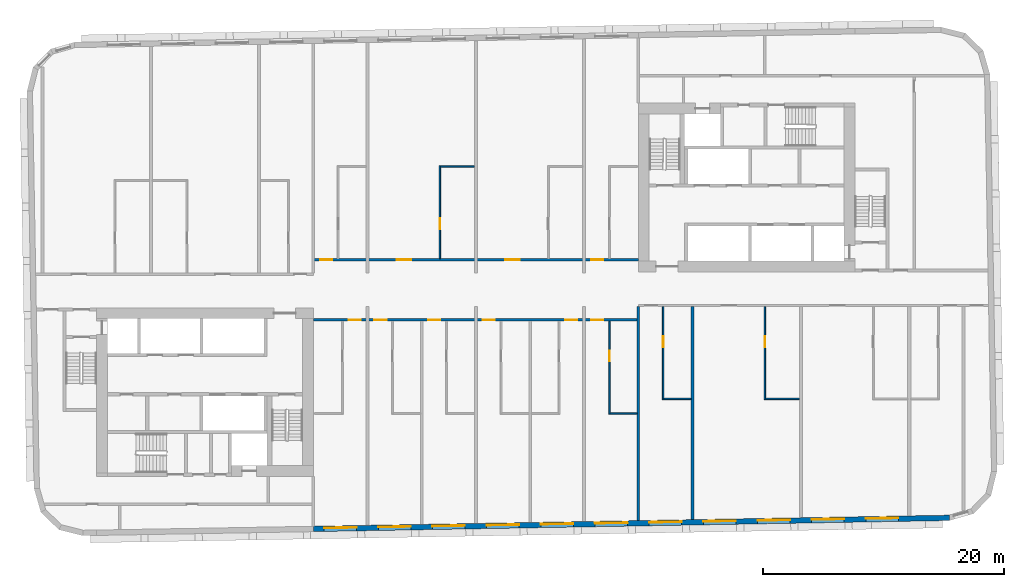
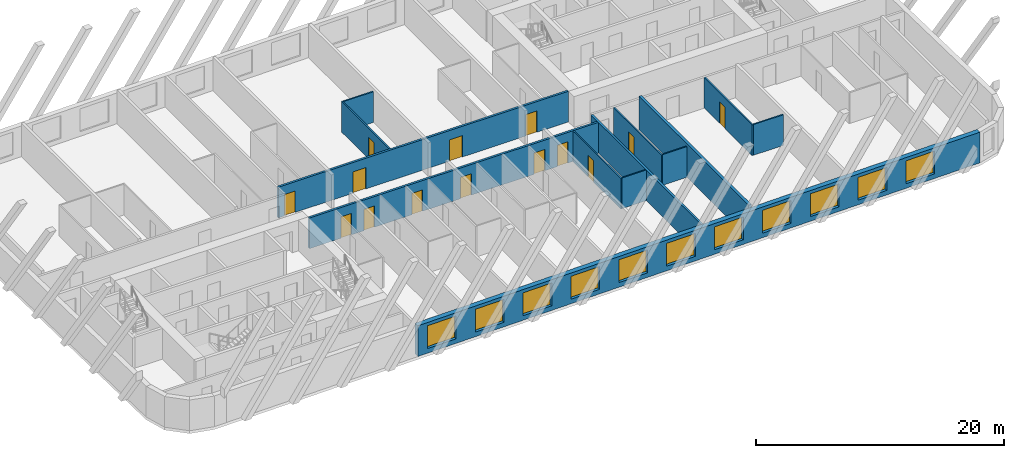
# One storey, part 4 of 12: 14 doors, 13 walls, 11 windows, 25 openings.
"""IFC4 building model written with IfcOpenShell, lengths in metres."""

from ifc_helpers import new_model, si_unit, direction, frame, frame_2d, origin, place, context, subcontext, project, spatial, rectangle, extrude, material, layer, layer_set, type_object, element, fill, save


model = new_model("IFC4")

# Units and contexts
model_context = context("Model", 3, precision=1e-05, world=origin(), true_north=direction((0.0, 1.0)))
body_context = subcontext(model_context, "Body", "Model", "MODEL_VIEW")
ifc_project = project(units=[si_unit("LENGTHUNIT", "METRE"), si_unit("AREAUNIT", "SQUARE_METRE"), si_unit("VOLUMEUNIT", "CUBIC_METRE"), si_unit("PLANEANGLEUNIT", "RADIAN"), si_unit("MASSUNIT", "GRAM", prefix="KILO")], contexts=[model_context])

# Site, building, storey
site_placement = place(None, origin())
site = spatial("IfcSite", under=ifc_project, at=site_placement, CompositionType="ELEMENT")
building_placement = place(site_placement, origin())
building = spatial("IfcBuilding", under=site, at=building_placement, Name="Kajstack Hotel Tower", CompositionType="ELEMENT")
storey_placement = place(building_placement, frame((0.0, 0.0, 247.39990234375)))
storey = spatial("IfcBuildingStorey", under=building, at=storey_placement, Name="L61", CompositionType="ELEMENT", Elevation=247.39990234375)

# Wall, openings, doors
ifc_material_1 = material(Name="Gypsum board on steel studs, mineral wool", Category="steel")
ifc_layer_1 = layer(ifc_material_1, 0.199951171875)
ifc_layer_set_1 = layer_set([ifc_layer_1], Name="Corridor wall 200")
wall_type_1 = type_object("IfcWallType", Name="Corridor wall 200", PredefinedType="PARTITIONING", material=ifc_layer_set_1)
wall_1_placement = place(storey_placement, frame((-13.5, 2.5, 0.0), z_axis=(0.0, 0.0, 1.0), x_axis=(1.0, 0.0, 0.0)))
wall_1 = element("IfcWall", 1, at=wall_1_placement, inside=storey, type_object=wall_type_1, Name="G-wall-L61-004", PredefinedType="PARTITIONING", context=body_context, shape_type="SweptSolid", body=[
    extrude(rectangle(XDim=27.0, YDim=0.199951171875, at=frame_2d((13.5, 0.0))), origin(), (0.0, 0.0, 1.0), 3.02001953125),
])
opening_1_placement = place(wall_1_placement, frame((0.574951171875, 0.0, 0.0)))
opening_1 = element("IfcOpeningElement", 2, at=opening_1_placement, cuts=wall_1, Name="Opening 61007", PredefinedType="OPENING", context=body_context, shape_type="SweptSolid", body=[
    extrude(rectangle(XDim=1.0, YDim=2.10009765625, at=frame_2d((0.5, 1.050048828125))), frame((0.0, 0.10986328125, 0.0), z_axis=(0.0, -1.0, 0.0), x_axis=(1.0, 0.0, 0.0)), (0.0, 0.0, 1.0), 0.219970703125),
])
opening_2_placement = place(wall_1_placement, frame((6.93798828125, 0.0, 0.0)))
opening_2 = element("IfcOpeningElement", 3, at=opening_2_placement, cuts=wall_1, Name="Opening 61009", PredefinedType="OPENING", context=body_context, shape_type="SweptSolid", body=[
    extrude(rectangle(XDim=1.199951171875, YDim=2.10009765625, at=frame_2d((0.60009765625, 1.050048828125))), frame((0.0, 0.10986328125, 0.0), z_axis=(0.0, -1.0, 0.0), x_axis=(1.0, 0.0, 0.0)), (0.0, 0.0, 1.0), 0.219970703125),
])
opening_3_placement = place(wall_1_placement, frame((15.93798828125, 0.0, 0.0)))
opening_3 = element("IfcOpeningElement", 4, at=opening_3_placement, cuts=wall_1, Name="Opening 61011", PredefinedType="OPENING", context=body_context, shape_type="SweptSolid", body=[
    extrude(rectangle(XDim=1.199951171875, YDim=2.10009765625, at=frame_2d((0.60009765625, 1.050048828125))), frame((0.0, 0.10986328125, 0.0), z_axis=(0.0, -1.0, 0.0), x_axis=(1.0, 0.0, 0.0)), (0.0, 0.0, 1.0), 0.219970703125),
])
opening_4_placement = place(wall_1_placement, frame((23.074951171875, 0.0, 0.0)))
opening_4 = element("IfcOpeningElement", 5, at=opening_4_placement, cuts=wall_1, Name="Opening 61013", PredefinedType="OPENING", context=body_context, shape_type="SweptSolid", body=[
    extrude(rectangle(XDim=1.0, YDim=2.10009765625, at=frame_2d((0.5, 1.050048828125))), frame((0.0, 0.10986328125, 0.0), z_axis=(0.0, -1.0, 0.0), x_axis=(1.0, 0.0, 0.0)), (0.0, 0.0, 1.0), 0.219970703125),
])
ifc_material_2 = material(Name="Oak veneer on timber core, fire-rated leaf", Category="wood")
door_type_1 = type_object("IfcDoorType", Name="Flat entrance door 1000", OperationType="SINGLE_SWING_LEFT", PredefinedType="DOOR", material=ifc_material_2)
door_1_placement = place(opening_1_placement, origin())
door_1 = element("IfcDoor", 6, at=door_1_placement, inside=storey, type_object=door_type_1, Name="G-door-L61-07", OperationType="SINGLE_SWING_LEFT", OverallHeight=2.10009765625, OverallWidth=1.0, PredefinedType="DOOR", context=body_context, shape_type="SweptSolid", body=[
    extrude(rectangle(XDim=1.0, YDim=2.10009765625, at=frame_2d((0.5, 1.050048828125))), frame((0.0, 0.02490234375, 0.0), z_axis=(0.0, -1.0, 0.0), x_axis=(1.0, 0.0, 0.0)), (0.0, 0.0, 1.0), 0.050048828125),
])
fill(opening_1, door_1)
door_2_placement = place(opening_4_placement, origin())
door_2 = element("IfcDoor", 7, at=door_2_placement, inside=storey, type_object=door_type_1, Name="G-door-L61-13", OperationType="SINGLE_SWING_RIGHT", OverallHeight=2.10009765625, OverallWidth=1.0, PredefinedType="DOOR", context=body_context, shape_type="SweptSolid", body=[
    extrude(rectangle(XDim=1.0, YDim=2.10009765625, at=frame_2d((0.5, 1.050048828125))), frame((0.0, 0.02490234375, 0.0), z_axis=(0.0, -1.0, 0.0), x_axis=(1.0, 0.0, 0.0)), (0.0, 0.0, 1.0), 0.050048828125),
])
fill(opening_4, door_2)
door_type_2 = type_object("IfcDoorType", Name="Flat entrance door 1200", OperationType="SINGLE_SWING_LEFT", PredefinedType="DOOR", material=ifc_material_2)
door_3_placement = place(opening_2_placement, origin())
door_3 = element("IfcDoor", 8, at=door_3_placement, inside=storey, type_object=door_type_2, Name="G-door-L61-09", OperationType="SINGLE_SWING_RIGHT", OverallHeight=2.10009765625, OverallWidth=1.199951171875, PredefinedType="DOOR", context=body_context, shape_type="SweptSolid", body=[
    extrude(rectangle(XDim=1.199951171875, YDim=2.10009765625, at=frame_2d((0.60009765625, 1.050048828125))), frame((0.0, 0.02490234375, 0.0), z_axis=(0.0, -1.0, 0.0), x_axis=(1.0, 0.0, 0.0)), (0.0, 0.0, 1.0), 0.050048828125),
])
fill(opening_2, door_3)
door_4_placement = place(opening_3_placement, origin())
door_4 = element("IfcDoor", 9, at=door_4_placement, inside=storey, type_object=door_type_2, Name="G-door-L61-11", OperationType="SINGLE_SWING_RIGHT", OverallHeight=2.10009765625, OverallWidth=1.199951171875, PredefinedType="DOOR", context=body_context, shape_type="SweptSolid", body=[
    extrude(rectangle(XDim=1.199951171875, YDim=2.10009765625, at=frame_2d((0.60009765625, 1.050048828125))), frame((0.0, 0.02490234375, 0.0), z_axis=(0.0, -1.0, 0.0), x_axis=(1.0, 0.0, 0.0)), (0.0, 0.0, 1.0), 0.050048828125),
])
fill(opening_3, door_4)

wall_2_placement = place(storey_placement, frame((-13.5, -2.5, 0.0), z_axis=(0.0, 0.0, 1.0), x_axis=(1.0, 0.0, 0.0)))
wall_2 = element("IfcWall", 10, at=wall_2_placement, inside=storey, type_object=wall_type_1, Name="G-wall-L61-020", PredefinedType="PARTITIONING", context=body_context, shape_type="SweptSolid", body=[
    extrude(rectangle(XDim=27.0, YDim=0.199951171875, at=frame_2d((13.5, 0.0))), origin(), (0.0, 0.0, 1.0), 3.02001953125),
])
opening_5_placement = place(wall_2_placement, frame((2.925048828125, 0.0, 0.0)))
opening_5 = element("IfcOpeningElement", 11, at=opening_5_placement, cuts=wall_2, Name="Opening 61015", PredefinedType="OPENING", context=body_context, shape_type="SweptSolid", body=[
    extrude(rectangle(XDim=1.0, YDim=2.10009765625, at=frame_2d((0.5, 1.050048828125))), frame((0.0, 0.10986328125, 0.0), z_axis=(0.0, -1.0, 0.0), x_axis=(1.0, 0.0, 0.0)), (0.0, 0.0, 1.0), 0.219970703125),
])
opening_6_placement = place(wall_2_placement, frame((5.074951171875, 0.0, 0.0)))
opening_6 = element("IfcOpeningElement", 12, at=opening_6_placement, cuts=wall_2, Name="Opening 61017", PredefinedType="OPENING", context=body_context, shape_type="SweptSolid", body=[
    extrude(rectangle(XDim=1.0, YDim=2.10009765625, at=frame_2d((0.5, 1.050048828125))), frame((0.0, 0.10986328125, 0.0), z_axis=(0.0, -1.0, 0.0), x_axis=(1.0, 0.0, 0.0)), (0.0, 0.0, 1.0), 0.219970703125),
])
opening_7_placement = place(wall_2_placement, frame((9.550048828125, 0.0, 0.0)))
opening_7 = element("IfcOpeningElement", 13, at=opening_7_placement, cuts=wall_2, Name="Opening 61019", PredefinedType="OPENING", context=body_context, shape_type="SweptSolid", body=[
    extrude(rectangle(XDim=1.0, YDim=2.10009765625, at=frame_2d((0.5, 1.050048828125))), frame((0.0, 0.10986328125, 0.0), z_axis=(0.0, -1.0, 0.0), x_axis=(1.0, 0.0, 0.0)), (0.0, 0.0, 1.0), 0.219970703125),
])
opening_8_placement = place(wall_2_placement, frame((14.074951171875, 0.0, 0.0)))
opening_8 = element("IfcOpeningElement", 14, at=opening_8_placement, cuts=wall_2, Name="Opening 61021", PredefinedType="OPENING", context=body_context, shape_type="SweptSolid", body=[
    extrude(rectangle(XDim=1.0, YDim=2.10009765625, at=frame_2d((0.5, 1.050048828125))), frame((0.0, 0.10986328125, 0.0), z_axis=(0.0, -1.0, 0.0), x_axis=(1.0, 0.0, 0.0)), (0.0, 0.0, 1.0), 0.219970703125),
])
opening_9_placement = place(wall_2_placement, frame((20.925048828125, 0.0, 0.0)))
opening_9 = element("IfcOpeningElement", 15, at=opening_9_placement, cuts=wall_2, Name="Opening 61023", PredefinedType="OPENING", context=body_context, shape_type="SweptSolid", body=[
    extrude(rectangle(XDim=1.0, YDim=2.10009765625, at=frame_2d((0.5, 1.050048828125))), frame((0.0, 0.10986328125, 0.0), z_axis=(0.0, -1.0, 0.0), x_axis=(1.0, 0.0, 0.0)), (0.0, 0.0, 1.0), 0.219970703125),
])
opening_10_placement = place(wall_2_placement, frame((23.074951171875, 0.0, 0.0)))
opening_10 = element("IfcOpeningElement", 16, at=opening_10_placement, cuts=wall_2, Name="Opening 61025", PredefinedType="OPENING", context=body_context, shape_type="SweptSolid", body=[
    extrude(rectangle(XDim=1.0, YDim=2.10009765625, at=frame_2d((0.5, 1.050048828125))), frame((0.0, 0.10986328125, 0.0), z_axis=(0.0, -1.0, 0.0), x_axis=(1.0, 0.0, 0.0)), (0.0, 0.0, 1.0), 0.219970703125),
])
door_5_placement = place(opening_5_placement, origin())
door_5 = element("IfcDoor", 17, at=door_5_placement, inside=storey, type_object=door_type_1, Name="G-door-L61-15", OperationType="SINGLE_SWING_RIGHT", OverallHeight=2.10009765625, OverallWidth=1.0, PredefinedType="DOOR", context=body_context, shape_type="SweptSolid", body=[
    extrude(rectangle(XDim=1.0, YDim=2.10009765625, at=frame_2d((0.5, 1.050048828125))), frame((0.0, 0.02490234375, 0.0), z_axis=(0.0, -1.0, 0.0), x_axis=(1.0, 0.0, 0.0)), (0.0, 0.0, 1.0), 0.050048828125),
])
fill(opening_5, door_5)
door_6_placement = place(opening_6_placement, origin())
door_6 = element("IfcDoor", 18, at=door_6_placement, inside=storey, type_object=door_type_1, Name="G-door-L61-17", OperationType="SINGLE_SWING_RIGHT", OverallHeight=2.10009765625, OverallWidth=1.0, PredefinedType="DOOR", context=body_context, shape_type="SweptSolid", body=[
    extrude(rectangle(XDim=1.0, YDim=2.10009765625, at=frame_2d((0.5, 1.050048828125))), frame((0.0, 0.02490234375, 0.0), z_axis=(0.0, -1.0, 0.0), x_axis=(1.0, 0.0, 0.0)), (0.0, 0.0, 1.0), 0.050048828125),
])
fill(opening_6, door_6)
door_7_placement = place(opening_7_placement, origin())
door_7 = element("IfcDoor", 19, at=door_7_placement, inside=storey, type_object=door_type_1, Name="G-door-L61-19", OperationType="SINGLE_SWING_RIGHT", OverallHeight=2.10009765625, OverallWidth=1.0, PredefinedType="DOOR", context=body_context, shape_type="SweptSolid", body=[
    extrude(rectangle(XDim=1.0, YDim=2.10009765625, at=frame_2d((0.5, 1.050048828125))), frame((0.0, 0.02490234375, 0.0), z_axis=(0.0, -1.0, 0.0), x_axis=(1.0, 0.0, 0.0)), (0.0, 0.0, 1.0), 0.050048828125),
])
fill(opening_7, door_7)
door_8_placement = place(opening_8_placement, origin())
door_8 = element("IfcDoor", 20, at=door_8_placement, inside=storey, type_object=door_type_1, Name="G-door-L61-21", OperationType="SINGLE_SWING_LEFT", OverallHeight=2.10009765625, OverallWidth=1.0, PredefinedType="DOOR", context=body_context, shape_type="SweptSolid", body=[
    extrude(rectangle(XDim=1.0, YDim=2.10009765625, at=frame_2d((0.5, 1.050048828125))), frame((0.0, 0.02490234375, 0.0), z_axis=(0.0, -1.0, 0.0), x_axis=(1.0, 0.0, 0.0)), (0.0, 0.0, 1.0), 0.050048828125),
])
fill(opening_8, door_8)
door_9_placement = place(opening_9_placement, origin())
door_9 = element("IfcDoor", 21, at=door_9_placement, inside=storey, type_object=door_type_1, Name="G-door-L61-23", OperationType="SINGLE_SWING_RIGHT", OverallHeight=2.10009765625, OverallWidth=1.0, PredefinedType="DOOR", context=body_context, shape_type="SweptSolid", body=[
    extrude(rectangle(XDim=1.0, YDim=2.10009765625, at=frame_2d((0.5, 1.050048828125))), frame((0.0, 0.02490234375, 0.0), z_axis=(0.0, -1.0, 0.0), x_axis=(1.0, 0.0, 0.0)), (0.0, 0.0, 1.0), 0.050048828125),
])
fill(opening_9, door_9)
door_10_placement = place(opening_10_placement, origin())
door_10 = element("IfcDoor", 22, at=door_10_placement, inside=storey, type_object=door_type_1, Name="G-door-L61-25", OperationType="SINGLE_SWING_RIGHT", OverallHeight=2.10009765625, OverallWidth=1.0, PredefinedType="DOOR", context=body_context, shape_type="SweptSolid", body=[
    extrude(rectangle(XDim=1.0, YDim=2.10009765625, at=frame_2d((0.5, 1.050048828125))), frame((0.0, 0.02490234375, 0.0), z_axis=(0.0, -1.0, 0.0), x_axis=(1.0, 0.0, 0.0)), (0.0, 0.0, 1.0), 0.050048828125),
])
fill(opening_10, door_10)

# Wall
ifc_material_3 = material(Name="Twin-frame gypsum board on steel studs, mineral wool", Category="steel")
ifc_layer_2 = layer(ifc_material_3, 0.199951171875)
ifc_layer_set_2 = layer_set([ifc_layer_2], Name="Demising wall 200")
wall_type_2 = type_object("IfcWallType", Name="Demising wall 200", PredefinedType="PARTITIONING", material=ifc_layer_set_2)
wall_3_placement = place(storey_placement, frame((13.5, -19.169921875, 0.0), z_axis=(0.0, 0.0, 1.0), x_axis=(0.0, 1.0, 0.0)))
element("IfcWall", 23, at=wall_3_placement, inside=storey, type_object=wall_type_2, Name="G-wall-L61-034", PredefinedType="PARTITIONING", context=body_context, shape_type="SweptSolid", body=[
    extrude(rectangle(XDim=17.77001953125, YDim=0.199951171875, at=frame_2d((8.885009765625, 0.0))), origin(), (0.0, 0.0, 1.0), 3.02001953125),
])

# Wall, openings, windows
ifc_material_4 = material(Name="Terracotta-faced brick masonry", Category="masonry")
ifc_layer_3 = layer(ifc_material_4, 0.449951171875)
ifc_layer_set_3 = layer_set([ifc_layer_3], Name="EW-TERRA")
wall_type_3 = type_object("IfcWallType", Name="EW-TERRA", PredefinedType="SOLIDWALL", material=ifc_layer_set_3)
wall_4_placement = place(storey_placement, frame((-13.50390625, -19.8662109375, 0.0), z_axis=(0.0, 0.0, 1.0), x_axis=(0.999847672978, 0.017453676992, 0.0)))
wall_4 = element("IfcWall", 24, at=wall_4_placement, inside=storey, type_object=wall_type_3, Name="E-wall-L61-04-02", PredefinedType="SOLIDWALL", context=body_context, shape_type="SweptSolid", body=[
    extrude(rectangle(XDim=52.8603515625, YDim=0.449951171875, at=frame_2d((26.43017578125, 0.0))), origin(), (0.0, 0.0, 1.0), 3.02001953125),
])
opening_11_placement = place(wall_4_placement, frame((0.900390625, 0.0, 0.449951171875)))
opening_11 = element("IfcOpeningElement", 25, at=opening_11_placement, cuts=wall_4, Name="Opening W1", PredefinedType="OPENING", context=body_context, shape_type="SweptSolid", body=[
    extrude(rectangle(XDim=2.699951171875, YDim=2.25, at=frame_2d((1.35009765625, 1.125))), frame((0.0, 0.23486328125, 0.0), z_axis=(0.0, -1.0, 0.0), x_axis=(1.0, 0.0, 0.0)), (0.0, 0.0, 1.0), 0.469970703125),
])
opening_12_placement = place(wall_4_placement, frame((5.40087890625, 0.0, 0.449951171875)))
opening_12 = element("IfcOpeningElement", 26, at=opening_12_placement, cuts=wall_4, Name="Opening W1", PredefinedType="OPENING", context=body_context, shape_type="SweptSolid", body=[
    extrude(rectangle(XDim=2.699951171875, YDim=2.25, at=frame_2d((1.35009765625, 1.125))), frame((0.0, 0.23486328125, 0.0), z_axis=(0.0, -1.0, 0.0), x_axis=(1.0, 0.0, 0.0)), (0.0, 0.0, 1.0), 0.469970703125),
])
opening_13_placement = place(wall_4_placement, frame((9.901611328125, 0.0, 0.449951171875)))
opening_13 = element("IfcOpeningElement", 27, at=opening_13_placement, cuts=wall_4, Name="Opening W1", PredefinedType="OPENING", context=body_context, shape_type="SweptSolid", body=[
    extrude(rectangle(XDim=2.699951171875, YDim=2.25, at=frame_2d((1.35009765625, 1.125))), frame((0.0, 0.23486328125, 0.0), z_axis=(0.0, -1.0, 0.0), x_axis=(1.0, 0.0, 0.0)), (0.0, 0.0, 1.0), 0.469970703125),
])
opening_14_placement = place(wall_4_placement, frame((14.40234375, 0.0, 0.449951171875)))
opening_14 = element("IfcOpeningElement", 28, at=opening_14_placement, cuts=wall_4, Name="Opening W1", PredefinedType="OPENING", context=body_context, shape_type="SweptSolid", body=[
    extrude(rectangle(XDim=2.699951171875, YDim=2.25, at=frame_2d((1.35009765625, 1.125))), frame((0.0, 0.23486328125, 0.0), z_axis=(0.0, -1.0, 0.0), x_axis=(1.0, 0.0, 0.0)), (0.0, 0.0, 1.0), 0.469970703125),
])
opening_15_placement = place(wall_4_placement, frame((18.903076171875, 0.0, 0.449951171875)))
opening_15 = element("IfcOpeningElement", 29, at=opening_15_placement, cuts=wall_4, Name="Opening W1", PredefinedType="OPENING", context=body_context, shape_type="SweptSolid", body=[
    extrude(rectangle(XDim=2.699951171875, YDim=2.25, at=frame_2d((1.35009765625, 1.125))), frame((0.0, 0.23486328125, 0.0), z_axis=(0.0, -1.0, 0.0), x_axis=(1.0, 0.0, 0.0)), (0.0, 0.0, 1.0), 0.469970703125),
])
opening_16_placement = place(wall_4_placement, frame((23.40380859375, 0.0, 0.449951171875)))
opening_16 = element("IfcOpeningElement", 30, at=opening_16_placement, cuts=wall_4, Name="Opening W1", PredefinedType="OPENING", context=body_context, shape_type="SweptSolid", body=[
    extrude(rectangle(XDim=2.699951171875, YDim=2.25, at=frame_2d((1.35009765625, 1.125))), frame((0.0, 0.23486328125, 0.0), z_axis=(0.0, -1.0, 0.0), x_axis=(1.0, 0.0, 0.0)), (0.0, 0.0, 1.0), 0.469970703125),
])
opening_17_placement = place(wall_4_placement, frame((27.904296875, 0.0, 0.449951171875)))
opening_17 = element("IfcOpeningElement", 31, at=opening_17_placement, cuts=wall_4, Name="Opening W1", PredefinedType="OPENING", context=body_context, shape_type="SweptSolid", body=[
    extrude(rectangle(XDim=2.699951171875, YDim=2.25, at=frame_2d((1.35009765625, 1.125))), frame((0.0, 0.23486328125, 0.0), z_axis=(0.0, -1.0, 0.0), x_axis=(1.0, 0.0, 0.0)), (0.0, 0.0, 1.0), 0.469970703125),
])
opening_18_placement = place(wall_4_placement, frame((32.405029296875, 0.0, 0.449951171875)))
opening_18 = element("IfcOpeningElement", 32, at=opening_18_placement, cuts=wall_4, Name="Opening W1", PredefinedType="OPENING", context=body_context, shape_type="SweptSolid", body=[
    extrude(rectangle(XDim=2.699951171875, YDim=2.25, at=frame_2d((1.35009765625, 1.125))), frame((0.0, 0.23486328125, 0.0), z_axis=(0.0, -1.0, 0.0), x_axis=(1.0, 0.0, 0.0)), (0.0, 0.0, 1.0), 0.469970703125),
])
opening_19_placement = place(wall_4_placement, frame((36.90576171875, 0.0, 0.449951171875)))
opening_19 = element("IfcOpeningElement", 33, at=opening_19_placement, cuts=wall_4, Name="Opening W1", PredefinedType="OPENING", context=body_context, shape_type="SweptSolid", body=[
    extrude(rectangle(XDim=2.699951171875, YDim=2.25, at=frame_2d((1.35009765625, 1.125))), frame((0.0, 0.23486328125, 0.0), z_axis=(0.0, -1.0, 0.0), x_axis=(1.0, 0.0, 0.0)), (0.0, 0.0, 1.0), 0.469970703125),
])
opening_20_placement = place(wall_4_placement, frame((41.406494140625, 0.0, 0.449951171875)))
opening_20 = element("IfcOpeningElement", 34, at=opening_20_placement, cuts=wall_4, Name="Opening W1", PredefinedType="OPENING", context=body_context, shape_type="SweptSolid", body=[
    extrude(rectangle(XDim=2.699951171875, YDim=2.25, at=frame_2d((1.35009765625, 1.125))), frame((0.0, 0.23486328125, 0.0), z_axis=(0.0, -1.0, 0.0), x_axis=(1.0, 0.0, 0.0)), (0.0, 0.0, 1.0), 0.469970703125),
])
opening_21_placement = place(wall_4_placement, frame((45.9072265625, 0.0, 0.449951171875)))
opening_21 = element("IfcOpeningElement", 35, at=opening_21_placement, cuts=wall_4, Name="Opening W1", PredefinedType="OPENING", context=body_context, shape_type="SweptSolid", body=[
    extrude(rectangle(XDim=2.699951171875, YDim=2.25, at=frame_2d((1.35009765625, 1.125))), frame((0.0, 0.23486328125, 0.0), z_axis=(0.0, -1.0, 0.0), x_axis=(1.0, 0.0, 0.0)), (0.0, 0.0, 1.0), 0.469970703125),
])
ifc_material_5 = material(Name="Timber-aluminium window, triple glazed", Category="wood")
window_type = type_object("IfcWindowType", Name="WG1", PartitioningType="SINGLE_PANEL", PredefinedType="WINDOW", material=ifc_material_5)
window_1_placement = place(opening_11_placement, origin())
window_1 = element("IfcWindow", 36, at=window_1_placement, inside=storey, type_object=window_type, Name="Window W1 L61-04", OverallHeight=2.25, OverallWidth=2.699951171875, PartitioningType="SINGLE_PANEL", PredefinedType="WINDOW", context=body_context, shape_type="SweptSolid", body=[
    extrude(rectangle(XDim=2.699951171875, YDim=2.25, at=frame_2d((1.35009765625, 1.125))), frame((0.0, 0.090087890625, 0.0), z_axis=(0.0, -1.0, 0.0), x_axis=(1.0, 0.0, 0.0)), (0.0, 0.0, 1.0), 0.06005859375),
])
fill(opening_11, window_1)
window_2_placement = place(opening_12_placement, origin())
window_2 = element("IfcWindow", 37, at=window_2_placement, inside=storey, type_object=window_type, Name="Window W1 L61-04", OverallHeight=2.25, OverallWidth=2.699951171875, PartitioningType="SINGLE_PANEL", PredefinedType="WINDOW", context=body_context, shape_type="SweptSolid", body=[
    extrude(rectangle(XDim=2.699951171875, YDim=2.25, at=frame_2d((1.35009765625, 1.125))), frame((0.0, 0.090087890625, 0.0), z_axis=(0.0, -1.0, 0.0), x_axis=(1.0, 0.0, 0.0)), (0.0, 0.0, 1.0), 0.06005859375),
])
fill(opening_12, window_2)
window_3_placement = place(opening_13_placement, origin())
window_3 = element("IfcWindow", 38, at=window_3_placement, inside=storey, type_object=window_type, Name="Window W1 L61-04", OverallHeight=2.25, OverallWidth=2.699951171875, PartitioningType="SINGLE_PANEL", PredefinedType="WINDOW", context=body_context, shape_type="SweptSolid", body=[
    extrude(rectangle(XDim=2.699951171875, YDim=2.25, at=frame_2d((1.35009765625, 1.125))), frame((0.0, 0.090087890625, 0.0), z_axis=(0.0, -1.0, 0.0), x_axis=(1.0, 0.0, 0.0)), (0.0, 0.0, 1.0), 0.06005859375),
])
fill(opening_13, window_3)
window_4_placement = place(opening_14_placement, origin())
window_4 = element("IfcWindow", 39, at=window_4_placement, inside=storey, type_object=window_type, Name="Window W1 L61-04", OverallHeight=2.25, OverallWidth=2.699951171875, PartitioningType="SINGLE_PANEL", PredefinedType="WINDOW", context=body_context, shape_type="SweptSolid", body=[
    extrude(rectangle(XDim=2.699951171875, YDim=2.25, at=frame_2d((1.35009765625, 1.125))), frame((0.0, 0.090087890625, 0.0), z_axis=(0.0, -1.0, 0.0), x_axis=(1.0, 0.0, 0.0)), (0.0, 0.0, 1.0), 0.06005859375),
])
fill(opening_14, window_4)
window_5_placement = place(opening_15_placement, origin())
window_5 = element("IfcWindow", 40, at=window_5_placement, inside=storey, type_object=window_type, Name="Window W1 L61-04", OverallHeight=2.25, OverallWidth=2.699951171875, PartitioningType="SINGLE_PANEL", PredefinedType="WINDOW", context=body_context, shape_type="SweptSolid", body=[
    extrude(rectangle(XDim=2.699951171875, YDim=2.25, at=frame_2d((1.35009765625, 1.125))), frame((0.0, 0.090087890625, 0.0), z_axis=(0.0, -1.0, 0.0), x_axis=(1.0, 0.0, 0.0)), (0.0, 0.0, 1.0), 0.06005859375),
])
fill(opening_15, window_5)
window_6_placement = place(opening_16_placement, origin())
window_6 = element("IfcWindow", 41, at=window_6_placement, inside=storey, type_object=window_type, Name="Window W1 L61-04", OverallHeight=2.25, OverallWidth=2.699951171875, PartitioningType="SINGLE_PANEL", PredefinedType="WINDOW", context=body_context, shape_type="SweptSolid", body=[
    extrude(rectangle(XDim=2.699951171875, YDim=2.25, at=frame_2d((1.35009765625, 1.125))), frame((0.0, 0.090087890625, 0.0), z_axis=(0.0, -1.0, 0.0), x_axis=(1.0, 0.0, 0.0)), (0.0, 0.0, 1.0), 0.06005859375),
])
fill(opening_16, window_6)
window_7_placement = place(opening_17_placement, origin())
window_7 = element("IfcWindow", 42, at=window_7_placement, inside=storey, type_object=window_type, Name="Window W1 L61-04", OverallHeight=2.25, OverallWidth=2.699951171875, PartitioningType="SINGLE_PANEL", PredefinedType="WINDOW", context=body_context, shape_type="SweptSolid", body=[
    extrude(rectangle(XDim=2.699951171875, YDim=2.25, at=frame_2d((1.35009765625, 1.125))), frame((0.0, 0.090087890625, 0.0), z_axis=(0.0, -1.0, 0.0), x_axis=(1.0, 0.0, 0.0)), (0.0, 0.0, 1.0), 0.06005859375),
])
fill(opening_17, window_7)
window_8_placement = place(opening_18_placement, origin())
window_8 = element("IfcWindow", 43, at=window_8_placement, inside=storey, type_object=window_type, Name="Window W1 L61-04", OverallHeight=2.25, OverallWidth=2.699951171875, PartitioningType="SINGLE_PANEL", PredefinedType="WINDOW", context=body_context, shape_type="SweptSolid", body=[
    extrude(rectangle(XDim=2.699951171875, YDim=2.25, at=frame_2d((1.35009765625, 1.125))), frame((0.0, 0.090087890625, 0.0), z_axis=(0.0, -1.0, 0.0), x_axis=(1.0, 0.0, 0.0)), (0.0, 0.0, 1.0), 0.06005859375),
])
fill(opening_18, window_8)
window_9_placement = place(opening_19_placement, origin())
window_9 = element("IfcWindow", 44, at=window_9_placement, inside=storey, type_object=window_type, Name="Window W1 L61-04", OverallHeight=2.25, OverallWidth=2.699951171875, PartitioningType="SINGLE_PANEL", PredefinedType="WINDOW", context=body_context, shape_type="SweptSolid", body=[
    extrude(rectangle(XDim=2.699951171875, YDim=2.25, at=frame_2d((1.35009765625, 1.125))), frame((0.0, 0.090087890625, 0.0), z_axis=(0.0, -1.0, 0.0), x_axis=(1.0, 0.0, 0.0)), (0.0, 0.0, 1.0), 0.06005859375),
])
fill(opening_19, window_9)
window_10_placement = place(opening_20_placement, origin())
window_10 = element("IfcWindow", 45, at=window_10_placement, inside=storey, type_object=window_type, Name="Window W1 L61-04", OverallHeight=2.25, OverallWidth=2.699951171875, PartitioningType="SINGLE_PANEL", PredefinedType="WINDOW", context=body_context, shape_type="SweptSolid", body=[
    extrude(rectangle(XDim=2.699951171875, YDim=2.25, at=frame_2d((1.35009765625, 1.125))), frame((0.0, 0.090087890625, 0.0), z_axis=(0.0, -1.0, 0.0), x_axis=(1.0, 0.0, 0.0)), (0.0, 0.0, 1.0), 0.06005859375),
])
fill(opening_20, window_10)
window_11_placement = place(opening_21_placement, origin())
window_11 = element("IfcWindow", 46, at=window_11_placement, inside=storey, type_object=window_type, Name="Window W1 L61-04", OverallHeight=2.25, OverallWidth=2.699951171875, PartitioningType="SINGLE_PANEL", PredefinedType="WINDOW", context=body_context, shape_type="SweptSolid", body=[
    extrude(rectangle(XDim=2.699951171875, YDim=2.25, at=frame_2d((1.35009765625, 1.125))), frame((0.0, 0.090087890625, 0.0), z_axis=(0.0, -1.0, 0.0), x_axis=(1.0, 0.0, 0.0)), (0.0, 0.0, 1.0), 0.06005859375),
])
fill(opening_21, window_11)

# Wall, opening, door
ifc_material_6 = material(Name="Gypsum board and tiled backer on steel studs", Category="steel")
ifc_layer_4 = layer(ifc_material_6, 0.125)
ifc_layer_set_4 = layer_set([ifc_layer_4], Name="En-suite wall 125")
wall_type_4 = type_object("IfcWallType", Name="En-suite wall 125", PredefinedType="PARTITIONING", material=ifc_layer_set_4)
wall_5_placement = place(storey_placement, frame((-2.987060546875, 2.60009765625, 0.0), z_axis=(0.0, 0.0, 1.0), x_axis=(0.0, 1.0, 0.0)))
wall_5 = element("IfcWall", 47, at=wall_5_placement, inside=storey, type_object=wall_type_4, Name="G-wall-L61-014", PredefinedType="PARTITIONING", context=body_context, shape_type="SweptSolid", body=[
    extrude(rectangle(XDim=7.724853515625, YDim=0.125, at=frame_2d((3.8623046875, 0.0))), origin(), (0.0, 0.0, 1.0), 3.02001953125),
])
opening_22_placement = place(wall_5_placement, frame((2.449951171875, 0.0, 0.0)))
opening_22 = element("IfcOpeningElement", 48, at=opening_22_placement, cuts=wall_5, Name="Opening 61010", PredefinedType="OPENING", context=body_context, shape_type="SweptSolid", body=[
    extrude(rectangle(XDim=0.89990234375, YDim=2.10009765625, at=frame_2d((0.449951171875, 1.050048828125))), frame((0.0, 0.072509765625, 0.0), z_axis=(0.0, -1.0, 0.0), x_axis=(1.0, 0.0, 0.0)), (0.0, 0.0, 1.0), 0.14501953125),
])
ifc_material_7 = material(Name="Painted timber door leaf", Category="wood")
door_type_3 = type_object("IfcDoorType", Name="Room door 900", OperationType="SINGLE_SWING_LEFT", PredefinedType="DOOR", material=ifc_material_7)
door_11_placement = place(opening_22_placement, origin())
door_11 = element("IfcDoor", 49, at=door_11_placement, inside=storey, type_object=door_type_3, Name="G-door-L61-10", OperationType="SINGLE_SWING_LEFT", OverallHeight=2.10009765625, OverallWidth=0.89990234375, PredefinedType="DOOR", context=body_context, shape_type="SweptSolid", body=[
    extrude(rectangle(XDim=0.89990234375, YDim=2.10009765625, at=frame_2d((0.449951171875, 1.050048828125))), frame((0.0, 0.02490234375, 0.0), z_axis=(0.0, -1.0, 0.0), x_axis=(1.0, 0.0, 0.0)), (0.0, 0.0, 1.0), 0.050048828125),
])
fill(opening_22, door_11)

# Wall
wall_6_placement = place(storey_placement, frame((-2.925048828125, 10.261962890625, 0.0), z_axis=(0.0, 0.0, 1.0), x_axis=(1.0, 0.0, 0.0)))
element("IfcWall", 50, at=wall_6_placement, inside=storey, type_object=wall_type_4, Name="G-wall-L61-015", PredefinedType="PARTITIONING", context=body_context, shape_type="SweptSolid", body=[
    extrude(rectangle(XDim=2.800048828125, YDim=0.125, at=frame_2d((1.39990234375, 0.0))), origin(), (0.0, 0.0, 1.0), 3.02001953125),
])

# Wall, opening, door
wall_7_placement = place(storey_placement, frame((11.087890625, -10.324951171875, 0.0), z_axis=(0.0, 0.0, 1.0), x_axis=(0.0, 1.0, 0.0)))
wall_7 = element("IfcWall", 51, at=wall_7_placement, inside=storey, type_object=wall_type_4, Name="G-wall-L61-035", PredefinedType="PARTITIONING", context=body_context, shape_type="SweptSolid", body=[
    extrude(rectangle(XDim=7.724853515625, YDim=0.125, at=frame_2d((3.8623046875, 0.0))), origin(), (0.0, 0.0, 1.0), 3.02001953125),
])
opening_23_placement = place(wall_7_placement, frame((4.375, 0.0, 0.0)))
opening_23 = element("IfcOpeningElement", 52, at=opening_23_placement, cuts=wall_7, Name="Opening 61026", PredefinedType="OPENING", context=body_context, shape_type="SweptSolid", body=[
    extrude(rectangle(XDim=0.89990234375, YDim=2.10009765625, at=frame_2d((0.449951171875, 1.050048828125))), frame((0.0, 0.072509765625, 0.0), z_axis=(0.0, -1.0, 0.0), x_axis=(1.0, 0.0, 0.0)), (0.0, 0.0, 1.0), 0.14501953125),
])
door_12_placement = place(opening_23_placement, origin())
door_12 = element("IfcDoor", 53, at=door_12_placement, inside=storey, type_object=door_type_3, Name="G-door-L61-26", OperationType="SINGLE_SWING_LEFT", OverallHeight=2.10009765625, OverallWidth=0.89990234375, PredefinedType="DOOR", context=body_context, shape_type="SweptSolid", body=[
    extrude(rectangle(XDim=0.89990234375, YDim=2.10009765625, at=frame_2d((0.449951171875, 1.050048828125))), frame((0.0, 0.02490234375, 0.0), z_axis=(0.0, -1.0, 0.0), x_axis=(1.0, 0.0, 0.0)), (0.0, 0.0, 1.0), 0.050048828125),
])
fill(opening_23, door_12)

# Wall
wall_8_placement = place(storey_placement, frame((11.14990234375, -10.261962890625, 0.0), z_axis=(0.0, 0.0, 1.0), x_axis=(1.0, 0.0, 0.0)))
element("IfcWall", 54, at=wall_8_placement, inside=storey, type_object=wall_type_4, Name="G-wall-L61-036", PredefinedType="PARTITIONING", context=body_context, shape_type="SweptSolid", body=[
    extrude(rectangle(XDim=2.25, YDim=0.125, at=frame_2d((1.125, 0.0))), origin(), (0.0, 0.0, 1.0), 3.02001953125),
])

# Wall, opening, door
wall_9_placement = place(storey_placement, frame((15.56201171875, -9.125, 0.0), z_axis=(0.0, 0.0, 1.0), x_axis=(0.0, 1.0, 0.0)))
wall_9 = element("IfcWall", 55, at=wall_9_placement, inside=storey, type_object=wall_type_4, Name="G-wall-L61-037", PredefinedType="PARTITIONING", context=body_context, shape_type="SweptSolid", body=[
    extrude(rectangle(XDim=7.72509765625, YDim=0.125, at=frame_2d((3.862548828125, 0.0))), origin(), (0.0, 0.0, 1.0), 3.02001953125),
])
opening_24_placement = place(wall_9_placement, frame((4.375, 0.0, 0.0)))
opening_24 = element("IfcOpeningElement", 56, at=opening_24_placement, cuts=wall_9, Name="Opening 61028", PredefinedType="OPENING", context=body_context, shape_type="SweptSolid", body=[
    extrude(rectangle(XDim=0.89990234375, YDim=2.10009765625, at=frame_2d((0.449951171875, 1.050048828125))), frame((0.0, 0.072509765625, 0.0), z_axis=(0.0, -1.0, 0.0), x_axis=(1.0, 0.0, 0.0)), (0.0, 0.0, 1.0), 0.14501953125),
])
door_13_placement = place(opening_24_placement, origin())
door_13 = element("IfcDoor", 57, at=door_13_placement, inside=storey, type_object=door_type_3, Name="G-door-L61-28", OperationType="SINGLE_SWING_LEFT", OverallHeight=2.10009765625, OverallWidth=0.89990234375, PredefinedType="DOOR", context=body_context, shape_type="SweptSolid", body=[
    extrude(rectangle(XDim=0.89990234375, YDim=2.10009765625, at=frame_2d((0.449951171875, 1.050048828125))), frame((0.0, 0.02490234375, 0.0), z_axis=(0.0, -1.0, 0.0), x_axis=(1.0, 0.0, 0.0)), (0.0, 0.0, 1.0), 0.050048828125),
])
fill(opening_24, door_13)

# Wall
wall_10_placement = place(storey_placement, frame((15.625, -9.06201171875, 0.0), z_axis=(0.0, 0.0, 1.0), x_axis=(1.0, 0.0, 0.0)))
element("IfcWall", 58, at=wall_10_placement, inside=storey, type_object=wall_type_4, Name="G-wall-L61-038", PredefinedType="PARTITIONING", context=body_context, shape_type="SweptSolid", body=[
    extrude(rectangle(XDim=2.25, YDim=0.125, at=frame_2d((1.125, 0.0))), origin(), (0.0, 0.0, 1.0), 3.02001953125),
])

# Wall, opening, door
wall_11_placement = place(storey_placement, frame((24.011962890625, -9.125, 0.0), z_axis=(0.0, 0.0, 1.0), x_axis=(0.0, 1.0, 0.0)))
wall_11 = element("IfcWall", 59, at=wall_11_placement, inside=storey, type_object=wall_type_4, Name="G-wall-L61-039", PredefinedType="PARTITIONING", context=body_context, shape_type="SweptSolid", body=[
    extrude(rectangle(XDim=7.72509765625, YDim=0.125, at=frame_2d((3.862548828125, 0.0))), origin(), (0.0, 0.0, 1.0), 3.02001953125),
])
opening_25_placement = place(wall_11_placement, frame((4.375, 0.0, 0.0)))
opening_25 = element("IfcOpeningElement", 60, at=opening_25_placement, cuts=wall_11, Name="Opening 61030", PredefinedType="OPENING", context=body_context, shape_type="SweptSolid", body=[
    extrude(rectangle(XDim=0.89990234375, YDim=2.10009765625, at=frame_2d((0.449951171875, 1.050048828125))), frame((0.0, 0.072509765625, 0.0), z_axis=(0.0, -1.0, 0.0), x_axis=(1.0, 0.0, 0.0)), (0.0, 0.0, 1.0), 0.14501953125),
])
door_14_placement = place(opening_25_placement, origin())
door_14 = element("IfcDoor", 61, at=door_14_placement, inside=storey, type_object=door_type_3, Name="G-door-L61-30", OperationType="SINGLE_SWING_RIGHT", OverallHeight=2.10009765625, OverallWidth=0.89990234375, PredefinedType="DOOR", context=body_context, shape_type="SweptSolid", body=[
    extrude(rectangle(XDim=0.89990234375, YDim=2.10009765625, at=frame_2d((0.449951171875, 1.050048828125))), frame((0.0, 0.02490234375, 0.0), z_axis=(0.0, -1.0, 0.0), x_axis=(1.0, 0.0, 0.0)), (0.0, 0.0, 1.0), 0.050048828125),
])
fill(opening_25, door_14)

# Walls
wall_12_placement = place(storey_placement, frame((24.074951171875, -9.06201171875, 0.0), z_axis=(0.0, 0.0, 1.0), x_axis=(1.0, 0.0, 0.0)))
element("IfcWall", 62, at=wall_12_placement, inside=storey, type_object=wall_type_4, Name="G-wall-L61-040", PredefinedType="PARTITIONING", context=body_context, shape_type="SweptSolid", body=[
    extrude(rectangle(XDim=2.800048828125, YDim=0.125, at=frame_2d((1.39990234375, 0.0))), origin(), (0.0, 0.0, 1.0), 3.02001953125),
])
ifc_material_8 = material(Name="Concrete C45/55", Category="concrete")
ifc_layer_5 = layer(ifc_material_8, 0.25)
ifc_layer_set_5 = layer_set([ifc_layer_5], Name="RC cross wall 250 C45/55")
wall_type_5 = type_object("IfcWallType", Name="RC cross wall 250 C45/55", PredefinedType="SHEAR", material=ifc_layer_set_5)
wall_13_placement = place(storey_placement, frame((18.0, -19.0791015625, 0.0), z_axis=(0.0, 0.0, 1.0), x_axis=(0.0, 1.0, 0.0)))
element("IfcWall", 63, at=wall_13_placement, inside=storey, type_object=wall_type_5, Name="S-wall-L61-10", PredefinedType="SHEAR", context=body_context, shape_type="SweptSolid", body=[
    extrude(rectangle(XDim=17.67919921875, YDim=0.25, at=frame_2d((8.839599609375, 0.0))), origin(), (0.0, 0.0, 1.0), 3.300048828125),
])

save(model, "model.ifc")
